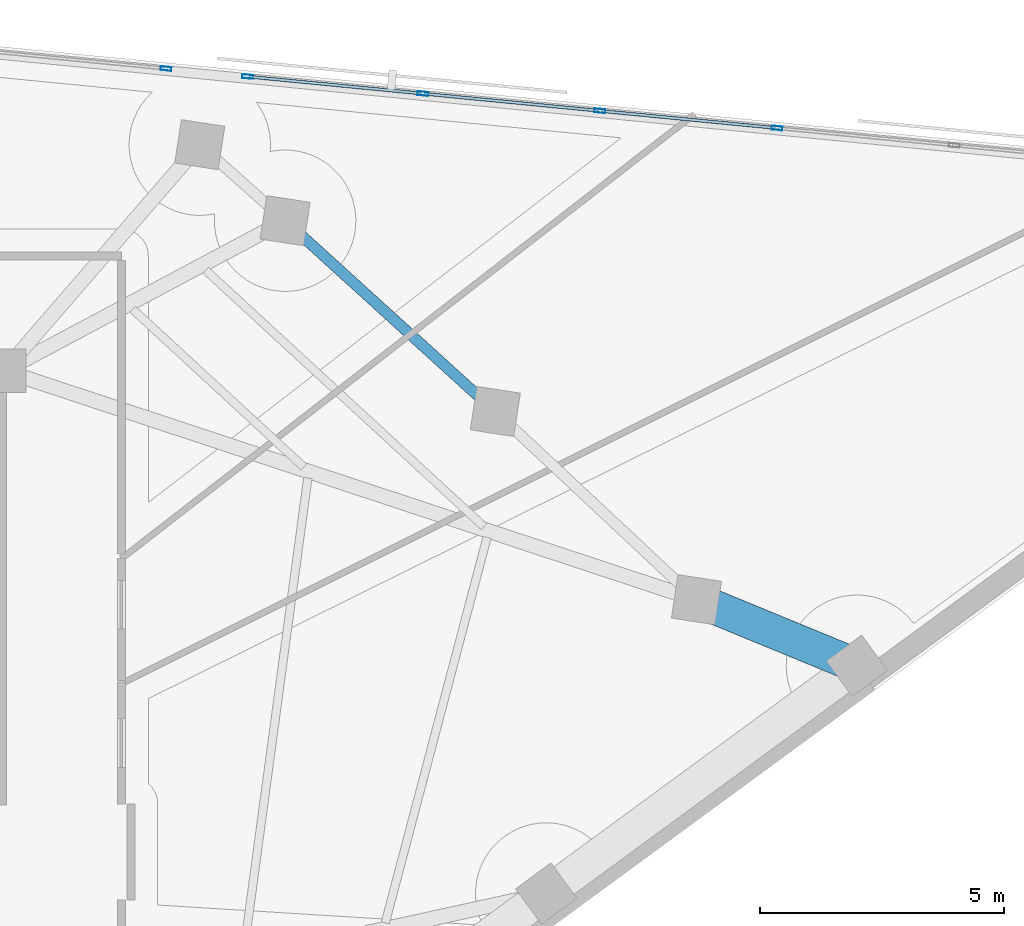
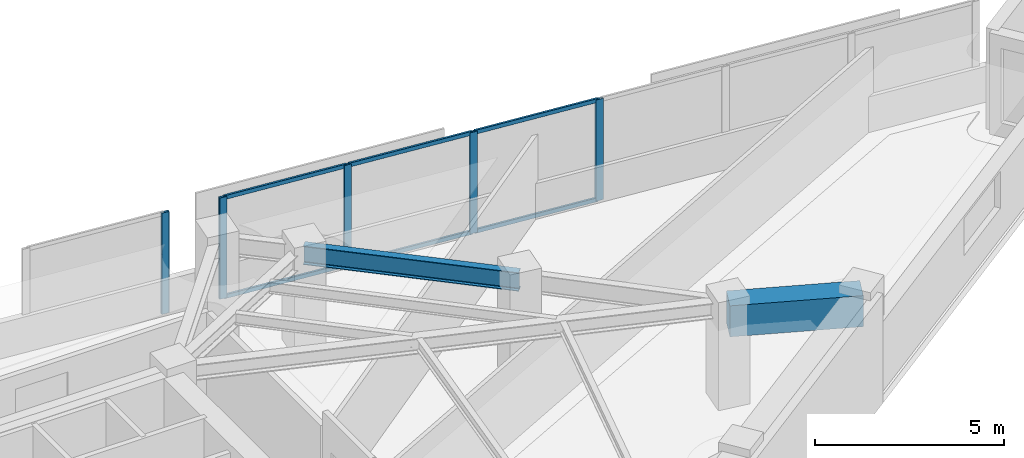
# One storey, part 5 of 13: 11 members, 2 beams, 2 elements without a shape of their own.
"""IFC4 building model written with IfcOpenShell, lengths in metres."""

from ifc_helpers import new_model, si_unit, direction, frame, origin, origin_2d, place, context, subcontext, project, spatial, rectangle, hollow_rectangle, i_section, extrude, material, material_profile, profile_set, type_object, element, aggregate, save


model = new_model("IFC4")

# Units and contexts
model_context = context("Model", 3, precision=1e-05, world=origin(), true_north=direction((0.0, 1.0)))
body_context = subcontext(model_context, "Body", "Model", "MODEL_VIEW")
ifc_project = project(units=[si_unit("LENGTHUNIT", "METRE"), si_unit("AREAUNIT", "SQUARE_METRE"), si_unit("VOLUMEUNIT", "CUBIC_METRE"), si_unit("PLANEANGLEUNIT", "RADIAN"), si_unit("MASSUNIT", "GRAM", prefix="KILO")], contexts=[model_context])

# Site, building, storey
site_placement = place(None, origin())
site = spatial("IfcSite", under=ifc_project, at=site_placement, CompositionType="ELEMENT")
building_placement = place(site_placement, origin())
building = spatial("IfcBuilding", under=site, at=building_placement, Name="Narakoshi Arena Tower", CompositionType="ELEMENT")
storey_placement = place(building_placement, frame((0.0, 0.0, 243.139892578125)))
storey = spatial("IfcBuildingStorey", under=building, at=storey_placement, Name="L66", CompositionType="ELEMENT", Elevation=243.139892578125)

# Beams
ifc_material_1 = material(Name="Concrete C60/75", Category="concrete")
ifc_material_profile_1 = material_profile(ifc_material_1, rectangle(XDim=0.699951171875, YDim=1.0, at=origin_2d()), Name="RCB700x1000")
ifc_profile_set_1 = profile_set([ifc_material_profile_1], Name="Concrete C60/75")
beam_type_1 = type_object("IfcBeamType", Name="BM-CPL-1000", PredefinedType="BEAM", material=ifc_profile_set_1)
beam_1_placement = place(storey_placement, frame((103.032470703125, 50.45361328125, 2.760009765625), z_axis=(-0.924787502584, 0.380484001063, 0.0), x_axis=(-0.380484001063, -0.924787502584, 0.0)))
element("IfcBeam", 1, at=beam_1_placement, inside=storey, type_object=beam_type_1, Name="L66 Perimeter Edge Girder 03", PredefinedType="BEAM", context=body_context, shape_type="SweptSolid", body=[
    extrude(rectangle(XDim=0.699951171875, YDim=1.0, at=origin_2d()), origin(), (0.0, 0.0, 1.0), 3.557373046875),
])
ifc_material_2 = material(Name="Structural steel S355J2", Category="steel")
ifc_material_profile_2 = material_profile(ifc_material_2, i_section(OverallWidth=0.219970703125, OverallDepth=0.60009765625, WebThickness=0.011962890625, FlangeThickness=0.01904296875, FilletRadius=0.02392578125, at=origin_2d()), Name="IPE600")
ifc_profile_set_2 = profile_set([ifc_material_profile_2], Name="Structural steel S355J2")
beam_type_2 = type_object("IfcBeamType", Name="BM-EDGE-600", PredefinedType="BEAM", material=ifc_profile_set_2)
beam_2_placement = place(storey_placement, frame((95.619384765625, 55.665283203125, 2.960205078125), z_axis=(-0.740395559013, 0.672171418757, 0.0), x_axis=(-0.672171418757, -0.740395559013, 0.0)))
element("IfcBeam", 2, at=beam_2_placement, inside=storey, type_object=beam_type_2, Name="L66 Perimeter Edge Girder 05", PredefinedType="BEAM", context=body_context, shape_type="SweptSolid", body=[
    extrude(i_section(OverallWidth=0.219970703125, OverallDepth=0.60009765625, WebThickness=0.011962890625, FlangeThickness=0.01904296875, FilletRadius=0.02392578125, at=origin_2d()), origin(), (0.0, 0.0, 1.0), 5.818603515625),
])

# Curtain wall, members
ifc_material_3 = material(Name="Anodised bronze aluminium 6063-T6", Category="aluminium")
curtain_wall_type = type_object("IfcCurtainWallType", Name="CW-HYP-HIGH", PredefinedType="NOTDEFINED", material=ifc_material_3)
curtain_wall_1_placement = place(storey_placement, origin())
curtain_wall_1 = element("IfcCurtainWall", 3, at=curtain_wall_1_placement, inside=storey, type_object=curtain_wall_type, Name="L66 Folded Hypotenuse Curtain Wall 1-1", PredefinedType="NOTDEFINED")
ifc_material_profile_3 = material_profile(ifc_material_3, hollow_rectangle(XDim=0.080078125, YDim=0.219970703125, WallThickness=0.0048828125, OuterFilletRadius=0.006103515625, at=origin_2d()), Name="MUL220x80x5")
ifc_profile_set_3 = profile_set([ifc_material_profile_3], Name="Anodised bronze aluminium 6063-T6")
member_type_1 = type_object("IfcMemberType", Name="MEM-MUL-220", PredefinedType="MULLION", material=ifc_profile_set_3)
member_1_placement = place(storey_placement, frame((101.3955078125, 61.47509765625, 0.0), z_axis=(0.0, 0.0, 1.0), x_axis=(-0.096851320996, -0.995298860454, 0.0)))
member_1 = element("IfcMember", 4, at=member_1_placement, type_object=member_type_1, Name="CW-03 mullion 4", PredefinedType="MULLION", context=body_context, shape_type="SweptSolid", body=[
    extrude(hollow_rectangle(XDim=0.080078125, YDim=0.219970703125, WallThickness=0.0048828125, OuterFilletRadius=0.006103515625, at=origin_2d()), origin(), (0.0, 0.0, 1.0), 3.260009765625),
])
member_2_placement = place(storey_placement, frame((97.763916015625, 61.828369140625, 0.0), z_axis=(0.0, 0.0, 1.0), x_axis=(-0.096851320996, -0.995298860454, 0.0)))
member_2 = element("IfcMember", 5, at=member_2_placement, type_object=member_type_1, Name="CW-03 mullion 5", PredefinedType="MULLION", context=body_context, shape_type="SweptSolid", body=[
    extrude(hollow_rectangle(XDim=0.080078125, YDim=0.219970703125, WallThickness=0.0048828125, OuterFilletRadius=0.006103515625, at=origin_2d()), origin(), (0.0, 0.0, 1.0), 3.260009765625),
])
member_3_placement = place(storey_placement, frame((94.13232421875, 62.181884765625, 0.0), z_axis=(0.0, 0.0, 1.0), x_axis=(-0.096851320996, -0.995298860454, 0.0)))
member_3 = element("IfcMember", 6, at=member_3_placement, type_object=member_type_1, Name="CW-03 mullion 6", PredefinedType="MULLION", context=body_context, shape_type="SweptSolid", body=[
    extrude(hollow_rectangle(XDim=0.080078125, YDim=0.219970703125, WallThickness=0.0048828125, OuterFilletRadius=0.006103515625, at=origin_2d()), origin(), (0.0, 0.0, 1.0), 3.260009765625),
])
member_4_placement = place(storey_placement, frame((90.54052734375, 62.53125, 0.0), z_axis=(0.0, 0.0, 1.0), x_axis=(-0.096851320996, -0.995298860454, 0.0)))
member_4 = element("IfcMember", 7, at=member_4_placement, type_object=member_type_1, Name="CW-03 mullion 7", PredefinedType="MULLION", context=body_context, shape_type="SweptSolid", body=[
    extrude(hollow_rectangle(XDim=0.080078125, YDim=0.219970703125, WallThickness=0.0048828125, OuterFilletRadius=0.006103515625, at=origin_2d()), origin(), (0.0, 0.0, 1.0), 3.260009765625),
])

# Curtain wall, member
curtain_wall_2_placement = place(storey_placement, origin())
curtain_wall_2 = element("IfcCurtainWall", 8, at=curtain_wall_2_placement, inside=storey, type_object=curtain_wall_type, Name="L66 Folded Hypotenuse Curtain Wall 1-2", PredefinedType="NOTDEFINED")
member_5_placement = place(storey_placement, frame((88.87060546875, 62.69384765625, 0.0), z_axis=(0.0, 0.0, 1.0), x_axis=(-0.096842858471, -0.995299683896, 0.0)))
member_5 = element("IfcMember", 9, at=member_5_placement, type_object=member_type_1, Name="CW-03 mullion 1", PredefinedType="MULLION", context=body_context, shape_type="SweptSolid", body=[
    extrude(hollow_rectangle(XDim=0.080078125, YDim=0.219970703125, WallThickness=0.0048828125, OuterFilletRadius=0.006103515625, at=origin_2d()), origin(), (0.0, 0.0, 1.0), 3.260009765625),
])
aggregate(curtain_wall_2, [member_5])

# Member
ifc_material_profile_4 = material_profile(ifc_material_3, hollow_rectangle(XDim=0.06494140625, YDim=0.1298828125, WallThickness=0.00390625, OuterFilletRadius=0.0048828125, at=origin_2d()), Name="TRN130x65x4")
ifc_profile_set_4 = profile_set([ifc_material_profile_4], Name="Anodised bronze aluminium 6063-T6")
member_type_2 = type_object("IfcMemberType", Name="MEM-TRN-130", PredefinedType="USERDEFINED", material=ifc_profile_set_4)
member_6_placement = place(storey_placement, frame((101.355712890625, 61.47900390625, 0.03271484375), z_axis=(-0.995303775278, 0.096800800194, 0.0), x_axis=(-0.096800800194, -0.995303775278, 0.0)))
member_6 = element("IfcMember", 10, at=member_6_placement, type_object=member_type_2, Name="CW-03 transom 4.1", ObjectType="TRANSOM", PredefinedType="USERDEFINED", context=body_context, shape_type="SweptSolid", body=[
    extrude(hollow_rectangle(XDim=0.06494140625, YDim=0.1298828125, WallThickness=0.00390625, OuterFilletRadius=0.0048828125, at=origin_2d()), origin(), (0.0, 0.0, 1.0), 3.56884765625),
])

member_7_placement = place(storey_placement, frame((101.355712890625, 61.47900390625, 3.2275390625), z_axis=(-0.995303775278, 0.096800800194, 0.0), x_axis=(-0.096800800194, -0.995303775278, 0.0)))
member_7 = element("IfcMember", 11, at=member_7_placement, type_object=member_type_2, Name="CW-03 transom 4.2", ObjectType="TRANSOM", PredefinedType="USERDEFINED", context=body_context, shape_type="SweptSolid", body=[
    extrude(hollow_rectangle(XDim=0.06494140625, YDim=0.1298828125, WallThickness=0.00390625, OuterFilletRadius=0.0048828125, at=origin_2d()), origin(), (0.0, 0.0, 1.0), 3.56884765625),
])

member_8_placement = place(storey_placement, frame((97.72412109375, 61.832275390625, 0.03271484375), z_axis=(-0.995297181926, 0.096868568947, 0.0), x_axis=(-0.096868568947, -0.995297181926, 0.0)))
member_8 = element("IfcMember", 12, at=member_8_placement, type_object=member_type_2, Name="CW-03 transom 5.1", ObjectType="TRANSOM", PredefinedType="USERDEFINED", context=body_context, shape_type="SweptSolid", body=[
    extrude(hollow_rectangle(XDim=0.06494140625, YDim=0.1298828125, WallThickness=0.00390625, OuterFilletRadius=0.0048828125, at=origin_2d()), origin(), (0.0, 0.0, 1.0), 3.56884765625),
])

member_9_placement = place(storey_placement, frame((97.72412109375, 61.832275390625, 3.2275390625), z_axis=(-0.995297181926, 0.096868568947, 0.0), x_axis=(-0.096868568947, -0.995297181926, 0.0)))
member_9 = element("IfcMember", 13, at=member_9_placement, type_object=member_type_2, Name="CW-03 transom 5.2", ObjectType="TRANSOM", PredefinedType="USERDEFINED", context=body_context, shape_type="SweptSolid", body=[
    extrude(hollow_rectangle(XDim=0.06494140625, YDim=0.1298828125, WallThickness=0.00390625, OuterFilletRadius=0.0048828125, at=origin_2d()), origin(), (0.0, 0.0, 1.0), 3.56884765625),
])

member_10_placement = place(storey_placement, frame((94.092529296875, 62.185791015625, 0.03271484375), z_axis=(-0.995304755232, 0.096790723799, 0.0), x_axis=(-0.096790723799, -0.995304755232, 0.0)))
member_10 = element("IfcMember", 14, at=member_10_placement, type_object=member_type_2, Name="CW-03 transom 6.1", ObjectType="TRANSOM", PredefinedType="USERDEFINED", context=body_context, shape_type="SweptSolid", body=[
    extrude(hollow_rectangle(XDim=0.06494140625, YDim=0.1298828125, WallThickness=0.00390625, OuterFilletRadius=0.0048828125, at=origin_2d()), origin(), (0.0, 0.0, 1.0), 3.52880859375),
])

member_11_placement = place(storey_placement, frame((94.092529296875, 62.185791015625, 3.2275390625), z_axis=(-0.995304755232, 0.096790723799, 0.0), x_axis=(-0.096790723799, -0.995304755232, 0.0)))
member_11 = element("IfcMember", 15, at=member_11_placement, type_object=member_type_2, Name="CW-03 transom 6.2", ObjectType="TRANSOM", PredefinedType="USERDEFINED", context=body_context, shape_type="SweptSolid", body=[
    extrude(hollow_rectangle(XDim=0.06494140625, YDim=0.1298828125, WallThickness=0.00390625, OuterFilletRadius=0.0048828125, at=origin_2d()), origin(), (0.0, 0.0, 1.0), 3.52880859375),
])

aggregate(curtain_wall_1, [member_1, member_2, member_3, member_4, member_6, member_7, member_8, member_9, member_10, member_11])

save(model, "model.ifc")
